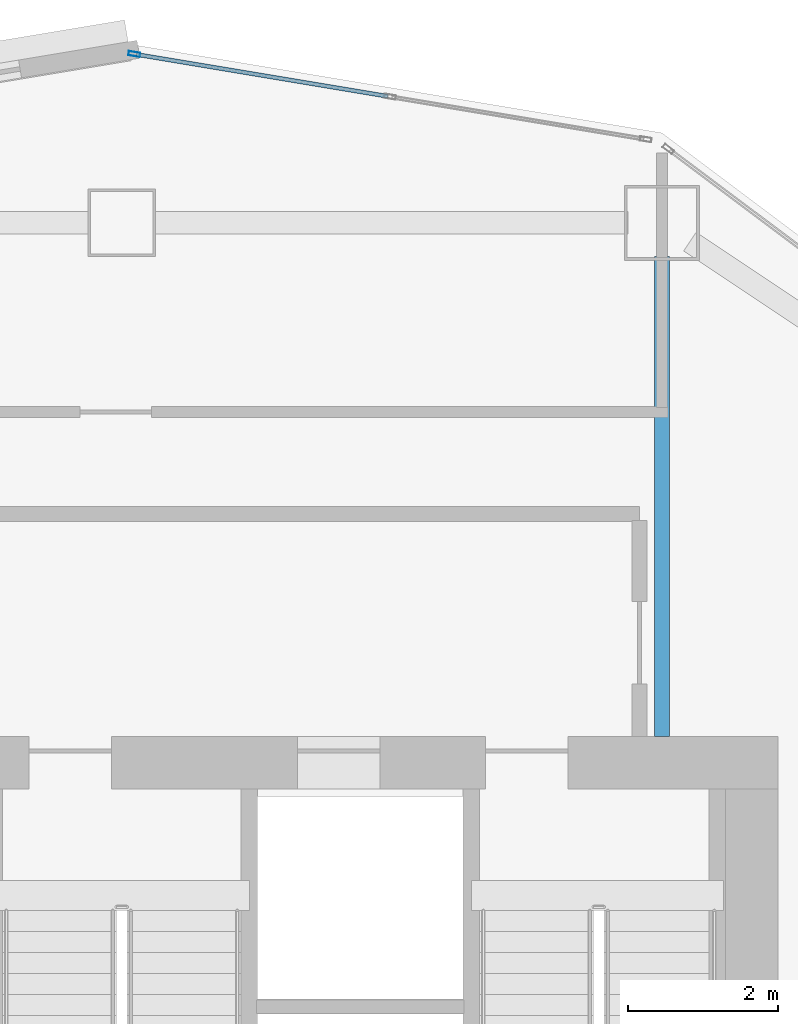
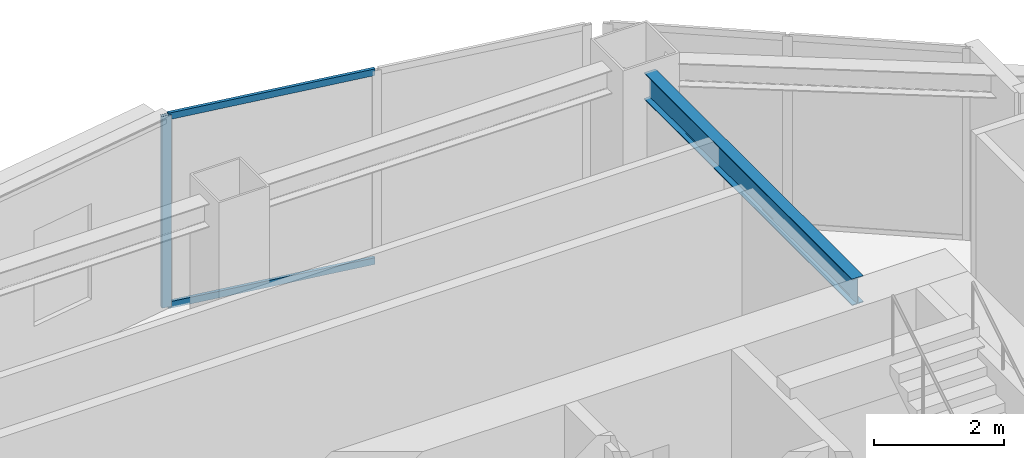
# One storey, part 2 of 14: 3 members, 1 beam, 1 element without a shape of its own.
"""IFC4 building model written with IfcOpenShell, lengths in metres."""

from ifc_helpers import new_model, si_unit, direction, frame, origin, origin_2d, place, context, subcontext, project, spatial, hollow_rectangle, i_section, extrude, material, layer, layer_set, material_profile, profile_set, type_object, element, aggregate, save


model = new_model("IFC4")

# Units and contexts
model_context = context("Model", 3, precision=1e-05, world=origin(), true_north=direction((0.0, 1.0)))
body_context = subcontext(model_context, "Body", "Model", "MODEL_VIEW")
ifc_project = project(units=[si_unit("LENGTHUNIT", "METRE"), si_unit("AREAUNIT", "SQUARE_METRE"), si_unit("VOLUMEUNIT", "CUBIC_METRE"), si_unit("PLANEANGLEUNIT", "RADIAN"), si_unit("MASSUNIT", "GRAM", prefix="KILO")], contexts=[model_context])

# Site, building, storey
site_placement = place(None, origin())
site = spatial("IfcSite", under=ifc_project, at=site_placement, CompositionType="ELEMENT")
building_placement = place(site_placement, origin())
building = spatial("IfcBuilding", under=site, at=building_placement, Name="Haolan Belvedere Tower", CompositionType="ELEMENT")
storey_placement = place(building_placement, frame((0.0, 0.0, 141.0)))
storey = spatial("IfcBuildingStorey", under=building, at=storey_placement, Name="L35", CompositionType="ELEMENT", Elevation=141.0)

# Beam
ifc_material_1 = material(Name="Steel Q355B", Category="steel")
ifc_material_profile_1 = material_profile(ifc_material_1, i_section(OverallWidth=0.199951171875, OverallDepth=0.5, WebThickness=0.010009765625, FlangeThickness=0.01611328125, FilletRadius=0.02001953125, at=origin_2d()), Name="Steel Q355B")
ifc_profile_set_1 = profile_set([ifc_material_profile_1], Name="Steel Q355B")
beam_type = type_object("IfcBeamType", Name="BM-HN500x200x10x16", PredefinedType="BEAM", material=ifc_profile_set_1)
beam_placement = place(storey_placement, frame((45.60009765625, 49.949951171875, 3.35009765625), z_axis=(0.0, -1.0, 0.0), x_axis=(1.0, 0.0, 0.0)))
element("IfcBeam", 1, at=beam_placement, inside=storey, type_object=beam_type, Name="L35 core tie beam from MC-T3-N2", PredefinedType="BEAM", context=body_context, shape_type="SweptSolid", body=[
    extrude(i_section(OverallWidth=0.199951171875, OverallDepth=0.5, WebThickness=0.010009765625, FlangeThickness=0.01611328125, FilletRadius=0.02001953125, at=origin_2d()), origin(), (0.0, 0.0, 1.0), 6.39990234375),
])

# Curtain wall, members
ifc_material_2 = material(Name="Anodised champagne-silver aluminium 6063-T6 and Low-E glass", Category="aluminium")
ifc_layer = layer(ifc_material_2, 0.155029296875, Name="Anodised champagne-silver aluminium 6063-T6 and Low-E glass")
ifc_layer_set = layer_set([ifc_layer], Name="Anodised champagne-silver aluminium 6063-T6 and Low-E glass")
curtain_wall_type = type_object("IfcCurtainWallType", Name="CW-SYS-03", PredefinedType="NOTDEFINED", material=ifc_layer_set)
curtain_wall_placement = place(storey_placement, origin())
curtain_wall = element("IfcCurtainWall", 2, at=curtain_wall_placement, inside=storey, type_object=curtain_wall_type, Name="L35 CW-SYS-03 ribbon curtain wall 27.1", PredefinedType="NOTDEFINED")
ifc_material_3 = material(Name="Anodised aluminium 6063-T6", Category="aluminium")
ifc_material_profile_2 = material_profile(ifc_material_3, hollow_rectangle(XDim=0.05810546875, YDim=0.155029296875, WallThickness=0.00390625, at=origin_2d()), Name="Anodised aluminium 6063-T6")
ifc_profile_set_2 = profile_set([ifc_material_profile_2], Name="Anodised aluminium 6063-T6")
member_type_1 = type_object("IfcMemberType", Name="CW-SYS-03-MUL", PredefinedType="MULLION", material=ifc_profile_set_2)
member_1_placement = place(storey_placement, frame((38.566650390625, 52.650634765625, 0.0), z_axis=(0.0, 0.0, 1.0), x_axis=(-0.16440364043, -0.9863931483, 0.0)))
member_1 = element("IfcMember", 3, at=member_1_placement, type_object=member_type_1, Name="CW-03 mullion 3", PredefinedType="MULLION", context=body_context, shape_type="SweptSolid", body=[
    extrude(hollow_rectangle(XDim=0.05810546875, YDim=0.155029296875, WallThickness=0.00390625, at=origin_2d()), origin(), (0.0, 0.0, 1.0), 3.60009765625),
])
ifc_material_profile_3 = material_profile(ifc_material_3, hollow_rectangle(XDim=0.053955078125, YDim=0.125, WallThickness=0.00390625, at=origin_2d()), Name="Anodised aluminium 6063-T6")
ifc_profile_set_3 = profile_set([ifc_material_profile_3], Name="Anodised aluminium 6063-T6")
member_type_2 = type_object("IfcMemberType", Name="CW-SYS-03-TRN", PredefinedType="USERDEFINED", material=ifc_profile_set_3)
member_2_placement = place(storey_placement, frame((41.947021484375, 52.087158203125, 0.027099609375), z_axis=(-0.986395865591, 0.16438733633, 0.0), x_axis=(-0.16438733633, -0.986395865591, 0.0)))
member_2 = element("IfcMember", 4, at=member_2_placement, type_object=member_type_2, Name="CW-03 transom 2.1", ObjectType="TRANSOM", PredefinedType="USERDEFINED", context=body_context, shape_type="SweptSolid", body=[
    extrude(hollow_rectangle(XDim=0.053955078125, YDim=0.125, WallThickness=0.00390625, at=origin_2d()), origin(), (0.0, 0.0, 1.0), 3.39794921875),
])
member_3_placement = place(storey_placement, frame((41.947021484375, 52.087158203125, 3.572998046875), z_axis=(-0.986395865591, 0.16438733633, 0.0), x_axis=(-0.16438733633, -0.986395865591, 0.0)))
member_3 = element("IfcMember", 5, at=member_3_placement, type_object=member_type_2, Name="CW-03 transom 2.2", ObjectType="TRANSOM", PredefinedType="USERDEFINED", context=body_context, shape_type="SweptSolid", body=[
    extrude(hollow_rectangle(XDim=0.053955078125, YDim=0.125, WallThickness=0.00390625, at=origin_2d()), origin(), (0.0, 0.0, 1.0), 3.39794921875),
])
aggregate(curtain_wall, [member_1, member_2, member_3])

save(model, "model.ifc")
